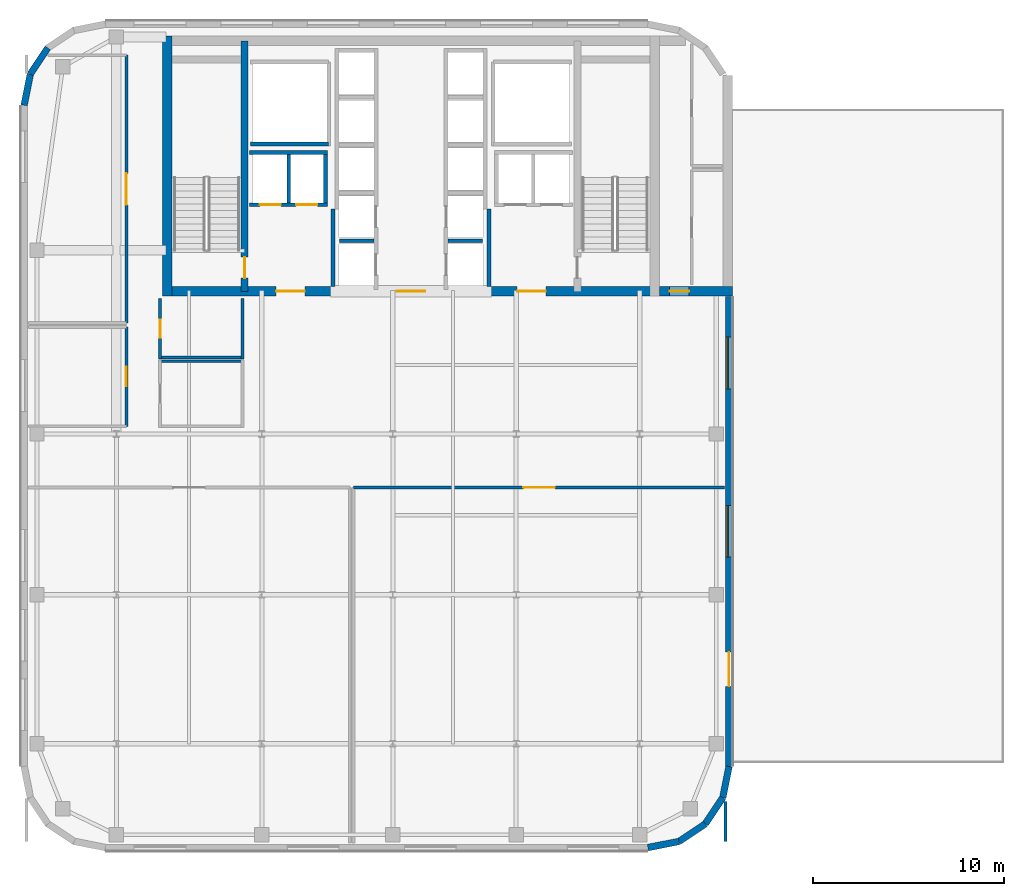
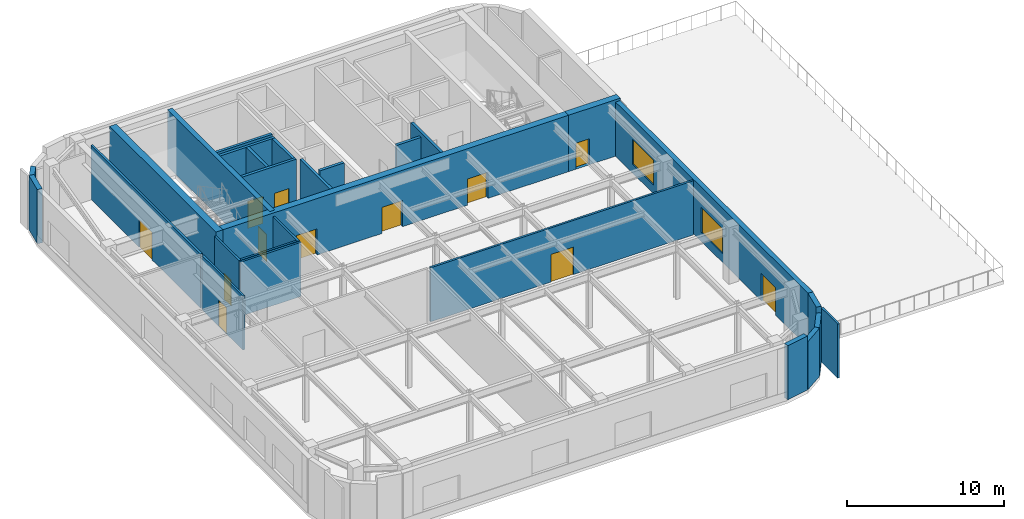
# One storey, part 4 of 10: 28 walls, 12 doors, 2 windows, 14 openings.
"""IFC4 building model written with IfcOpenShell, lengths in metres."""

from ifc_helpers import new_model, si_unit, direction, frame, frame_2d, origin, place, context, subcontext, project, spatial, rectangle, extrude, source, transform, mapped, material, layer, layer_set, type_object, type_shapes, element, fill, save


model = new_model("IFC4")

# Units and contexts
model_context = context("Model", 3, precision=1e-05, world=origin(), true_north=direction((0.0, 1.0)))
body_context = subcontext(model_context, "Body", "Model", "MODEL_VIEW")
ifc_project = project(units=[si_unit("LENGTHUNIT", "METRE"), si_unit("AREAUNIT", "SQUARE_METRE"), si_unit("VOLUMEUNIT", "CUBIC_METRE"), si_unit("PLANEANGLEUNIT", "RADIAN"), si_unit("MASSUNIT", "GRAM", prefix="KILO")], contexts=[model_context])

# Site, building, storey
site_placement = place(None, origin())
site = spatial("IfcSite", under=ifc_project, at=site_placement, CompositionType="ELEMENT")
building_placement = place(site_placement, origin())
building = spatial("IfcBuilding", under=site, at=building_placement, Name="Tolvann Quenvar Hotel", CompositionType="ELEMENT")
storey_placement = place(building_placement, frame((0.0, 0.0, 205.300048828125)))
storey = spatial("IfcBuildingStorey", under=building, at=storey_placement, Name="L54", CompositionType="ELEMENT", Elevation=205.300048828125)

# Wall, openings, doors
ifc_material_1 = material(Name="Concrete N50 (50 MPa)", Category="concrete")
ifc_layer_1 = layer(ifc_material_1, 0.5)
ifc_layer_set_1 = layer_set([ifc_layer_1], Name="Concrete N50 (50 MPa)")
wall_type_1 = type_object("IfcWallType", Name="WALL_CORE_500", PredefinedType="SHEAR", material=ifc_layer_set_1)
wall_1_placement = place(storey_placement, frame((10.0, 31.85009765625, 0.0), z_axis=(0.0, 0.0, 1.0), x_axis=(1.0, 0.0, 0.0)))
wall_1 = element("IfcWall", 1, at=wall_1_placement, inside=storey, type_object=wall_type_1, Name="Rear Core S Shear Wall (L54)", PredefinedType="SHEAR", context=body_context, shape_type="SweptSolid", body=[
    extrude(rectangle(XDim=26.0, YDim=0.5, at=frame_2d((13.0, 0.0))), origin(), (0.0, 0.0, 1.0), 4.39990234375),
])
opening_1_placement = place(wall_1_placement, frame((7.449951171875, 0.0, 0.0), z_axis=(0.0, 0.0, 1.0), x_axis=(-1.0, 0.0, 0.0)))
opening_1 = element("IfcOpeningElement", 2, at=opening_1_placement, cuts=wall_1, Name="Opening FD-60D", PredefinedType="OPENING", context=body_context, shape_type="SweptSolid", body=[
    extrude(rectangle(XDim=1.5, YDim=2.0400390625, at=frame_2d((0.75, 1.02001953125))), frame((0.0, 0.260009765625, 0.0), z_axis=(0.0, -1.0, 0.0), x_axis=(1.0, 0.0, 0.0)), (0.0, 0.0, 1.0), 0.52001953125),
])
opening_2_placement = place(wall_1_placement, frame((13.75, 0.0, 0.0), z_axis=(0.0, 0.0, 1.0), x_axis=(-1.0, 0.0, 0.0)))
opening_2 = element("IfcOpeningElement", 3, at=opening_2_placement, cuts=wall_1, Name="Opening FD-60D", PredefinedType="OPENING", context=body_context, shape_type="SweptSolid", body=[
    extrude(rectangle(XDim=1.5, YDim=2.0400390625, at=frame_2d((0.75, 1.02001953125))), frame((0.0, 0.260009765625, 0.0), z_axis=(0.0, -1.0, 0.0), x_axis=(1.0, 0.0, 0.0)), (0.0, 0.0, 1.0), 0.52001953125),
])
opening_3_placement = place(wall_1_placement, frame((20.050048828125, 0.0, 0.0), z_axis=(0.0, 0.0, 1.0), x_axis=(-1.0, 0.0, 0.0)))
opening_3 = element("IfcOpeningElement", 4, at=opening_3_placement, cuts=wall_1, Name="Opening FD-60D", PredefinedType="OPENING", context=body_context, shape_type="SweptSolid", body=[
    extrude(rectangle(XDim=1.5, YDim=2.0400390625, at=frame_2d((0.75, 1.02001953125))), frame((0.0, 0.260009765625, 0.0), z_axis=(0.0, -1.0, 0.0), x_axis=(1.0, 0.0, 0.0)), (0.0, 0.0, 1.0), 0.52001953125),
])
ifc_material_2 = material(Name="Solid-core American oak acoustic fire door leaf in steel frame", Category="steel")
door_type_1 = type_object("IfcDoorType", Name="DOOR_FIRE_LOBBY_1500", OperationType="NOTDEFINED", PredefinedType="DOOR", material=ifc_material_2)
shared_shape_1 = source(origin(), body_context, "Body", "SweptSolid", [
    extrude(rectangle(XDim=1.5, YDim=2.0400390625, at=frame_2d((0.75, 1.02001953125))), frame((0.0, 0.02490234375, 0.0), z_axis=(0.0, -1.0, 0.0), x_axis=(1.0, 0.0, 0.0)), (0.0, 0.0, 1.0), 0.050048828125),
])
type_shapes(door_type_1, [shared_shape_1])
door_1_placement = place(opening_1_placement, origin())
door_1 = element("IfcDoor", 5, at=door_1_placement, inside=storey, type_object=door_type_1, Name="Core Lobby Fire Door FFW (L54)", OperationType="DOUBLE_DOOR_SINGLE_SWING", OverallHeight=2.0400390625, OverallWidth=1.5, PredefinedType="DOOR", context=body_context, shape_type="MappedRepresentation", body=[
    mapped(shared_shape_1, transform((0.0, 0.0, 0.0), x_axis=(1.0, 0.0, 0.0), y_axis=(0.0, 1.0, 0.0), z_axis=(0.0, 0.0, 1.0), scale=1.0)),
])
fill(opening_1, door_1)
door_2_placement = place(opening_2_placement, origin())
door_2 = element("IfcDoor", 6, at=door_2_placement, inside=storey, type_object=door_type_1, Name="Core Lobby Fire Door CLOB (L54)", OperationType="DOUBLE_DOOR_SINGLE_SWING", OverallHeight=2.0400390625, OverallWidth=1.5, PredefinedType="DOOR", context=body_context, shape_type="MappedRepresentation", body=[
    mapped(shared_shape_1, transform((0.0, 0.0, 0.0), x_axis=(1.0, 0.0, 0.0), y_axis=(0.0, 1.0, 0.0), z_axis=(0.0, 0.0, 1.0), scale=1.0)),
])
fill(opening_2, door_2)
door_3_placement = place(opening_3_placement, origin())
door_3 = element("IfcDoor", 7, at=door_3_placement, inside=storey, type_object=door_type_1, Name="Core Lobby Fire Door FFE (L54)", OperationType="DOUBLE_DOOR_SINGLE_SWING", OverallHeight=2.0400390625, OverallWidth=1.5, PredefinedType="DOOR", context=body_context, shape_type="MappedRepresentation", body=[
    mapped(shared_shape_1, transform((0.0, 0.0, 0.0), x_axis=(1.0, 0.0, 0.0), y_axis=(0.0, 1.0, 0.0), z_axis=(0.0, 0.0, 1.0), scale=1.0)),
])
fill(opening_3, door_3)

# Wall
wall_2_placement = place(storey_placement, frame((10.25, 31.60009765625, 0.0), z_axis=(0.0, 0.0, 1.0), x_axis=(0.0, 1.0, 0.0)))
element("IfcWall", 8, at=wall_2_placement, inside=storey, type_object=wall_type_1, Name="Rear Core W Shear Wall (L54)", PredefinedType="SHEAR", context=body_context, shape_type="SweptSolid", body=[
    extrude(rectangle(XDim=13.599853515625, YDim=0.5, at=frame_2d((6.7998046875, 0.0))), origin(), (0.0, 0.0, 1.0), 4.39990234375),
])

# Wall, opening, door
wall_3_placement = place(storey_placement, frame((36.0, 31.85009765625, 0.0), z_axis=(0.0, 0.0, 1.0), x_axis=(1.0, 0.0, 0.0)))
wall_3 = element("IfcWall", 9, at=wall_3_placement, inside=storey, type_object=wall_type_1, Name="Core East Annex Shear Wall ANN-S (L54)", PredefinedType="SHEAR", context=body_context, shape_type="SweptSolid", body=[
    extrude(rectangle(XDim=3.800048828125, YDim=0.5, at=frame_2d((1.89990234375, 0.0))), origin(), (0.0, 0.0, 1.0), 4.39990234375),
])
opening_4_placement = place(wall_3_placement, frame((1.5400390625, 0.0, 0.0), z_axis=(0.0, 0.0, 1.0), x_axis=(-1.0, 0.0, 0.0)))
opening_4 = element("IfcOpeningElement", 10, at=opening_4_placement, cuts=wall_3, Name="Opening HD-01", PredefinedType="OPENING", context=body_context, shape_type="SweptSolid", body=[
    extrude(rectangle(XDim=1.02001953125, YDim=2.030029296875, at=frame_2d((0.510009765625, 1.01513671875))), frame((0.0, 0.260009765625, 0.0), z_axis=(0.0, -1.0, 0.0), x_axis=(1.0, 0.0, 0.0)), (0.0, 0.0, 1.0), 0.52001953125),
])
ifc_material_3 = material(Name="Pressed galvanised steel fire-rated door set", Category="steel")
door_type_2 = type_object("IfcDoorType", Name="DOOR_BOH_1020", OperationType="NOTDEFINED", PredefinedType="DOOR", material=ifc_material_3)
shared_shape_2 = source(origin(), body_context, "Body", "SweptSolid", [
    extrude(rectangle(XDim=1.02001953125, YDim=2.030029296875, at=frame_2d((0.510009765625, 1.01513671875))), frame((0.0, 0.02490234375, 0.0), z_axis=(0.0, -1.0, 0.0), x_axis=(1.0, 0.0, 0.0)), (0.0, 0.0, 1.0), 0.050048828125),
])
type_shapes(door_type_2, [shared_shape_2])
door_4_placement = place(opening_4_placement, origin())
door_4 = element("IfcDoor", 11, at=door_4_placement, inside=storey, type_object=door_type_2, Name="Housekeeping Annex Fire Door (L54)", OperationType="SINGLE_SWING_LEFT", OverallHeight=2.030029296875, OverallWidth=1.02001953125, PredefinedType="DOOR", context=body_context, shape_type="MappedRepresentation", body=[
    mapped(shared_shape_2, transform((0.0, 0.0, 0.0), x_axis=(1.0, 0.0, 0.0), y_axis=(0.0, 1.0, 0.0), z_axis=(0.0, 0.0, 1.0), scale=1.0)),
])
fill(opening_4, door_4)

ifc_material_4 = material(Name="Concrete S65 (65 MPa)", Category="concrete")
ifc_layer_2 = layer(ifc_material_4, 0.35009765625)
ifc_layer_set_2 = layer_set([ifc_layer_2], Name="Concrete S65 (65 MPa)")
wall_type_2 = type_object("IfcWallType", Name="WALL_CORE_INT_350", PredefinedType="SHEAR", material=ifc_layer_set_2)
wall_4_placement = place(storey_placement, frame((14.300048828125, 31.85009765625, 0.0), z_axis=(0.0, 0.0, 1.0), x_axis=(0.0, 1.0, 0.0)))
wall_4 = element("IfcWall", 12, at=wall_4_placement, inside=storey, type_object=wall_type_2, Name="Core Internal Web Shear Wall WEB-W (L54)", PredefinedType="SHEAR", context=body_context, shape_type="SweptSolid", body=[
    extrude(rectangle(XDim=13.099853515625, YDim=0.35009765625, at=frame_2d((6.5498046875, 0.0))), origin(), (0.0, 0.0, 1.0), 4.39990234375),
])
opening_5_placement = place(wall_4_placement, frame((0.699951171875, 0.0, 0.0)))
opening_5 = element("IfcOpeningElement", 13, at=opening_5_placement, cuts=wall_4, Name="Opening FD-120", PredefinedType="OPENING", context=body_context, shape_type="SweptSolid", body=[
    extrude(rectangle(XDim=1.10009765625, YDim=2.1201171875, at=frame_2d((0.550048828125, 1.06005859375))), frame((0.0, 0.18505859375, 0.0), z_axis=(0.0, -1.0, 0.0), x_axis=(1.0, 0.0, 0.0)), (0.0, 0.0, 1.0), 0.3701171875),
])
door_type_3 = type_object("IfcDoorType", Name="DOOR_FIRE_STAIR_1100", OperationType="NOTDEFINED", PredefinedType="DOOR", material=ifc_material_3)
shared_shape_3 = source(origin(), body_context, "Body", "SweptSolid", [
    extrude(rectangle(XDim=1.10009765625, YDim=2.1201171875, at=frame_2d((0.550048828125, 1.06005859375))), frame((0.0, 0.02490234375, 0.0), z_axis=(0.0, -1.0, 0.0), x_axis=(1.0, 0.0, 0.0)), (0.0, 0.0, 1.0), 0.050048828125),
])
type_shapes(door_type_3, [shared_shape_3])
door_5_placement = place(opening_5_placement, origin())
door_5 = element("IfcDoor", 14, at=door_5_placement, inside=storey, type_object=door_type_3, Name="Exit Stair ST-C1 Fire Door (L54)", OperationType="SINGLE_SWING_LEFT", OverallHeight=2.1201171875, OverallWidth=1.10009765625, PredefinedType="DOOR", context=body_context, shape_type="MappedRepresentation", body=[
    mapped(shared_shape_3, transform((0.0, 0.0, 0.0), x_axis=(1.0, 0.0, 0.0), y_axis=(0.0, 1.0, 0.0), z_axis=(0.0, 0.0, 1.0), scale=1.0)),
])
fill(opening_5, door_5)

# Walls
ifc_material_5 = material(Name="Kiln-fired red and buff architectural clay brickwork and terracotta masonry", Category="masonry")
ifc_layer_3 = layer(ifc_material_5, 0.35009765625)
ifc_layer_set_3 = layer_set([ifc_layer_3], Name="Kiln-fired red and buff architectural clay brickwork and terracotta masonry")
wall_type_3 = type_object("IfcWallType", Name="WALL_EXT_BRICK_350", PredefinedType="SOLIDWALL", material=ifc_layer_set_3)
wall_5_placement = place(storey_placement, frame((35.3828125, 2.77490234375, 0.0), z_axis=(0.0, 0.0, 1.0), x_axis=(0.980788844421, 0.195072403631, 0.0)))
element("IfcWall", 15, at=wall_5_placement, inside=storey, type_object=wall_type_3, Name="Exterior Chicago Brick Wall L54-E05", PredefinedType="SOLIDWALL", context=body_context, shape_type="SweptSolid", body=[
    extrude(rectangle(XDim=1.66455078125, YDim=0.35009765625, at=frame_2d((0.832275390625, 0.0))), origin(), (0.0, 0.0, 1.0), 4.219970703125),
])
for number, where, z_axis, x_axis, name in (
    (16, (37.015380859375, 3.099609375, 0.0), (0.0, 0.0, 1.0), (0.831434158098, 0.555623290322, 0.0), "Exterior Chicago Brick Wall L54-E06"),
    (17, (38.385009765625, 4.014892578125, 0.0), (0.0, 0.0, 1.0), (0.555623290322, 0.831434158098, 0.0), "Exterior Chicago Brick Wall L54-E07"),
):
    element("IfcWall", number, at=place(storey_placement, frame(where, z_axis=z_axis, x_axis=x_axis)), inside=storey, type_object=wall_type_3, Name=name, PredefinedType="SOLIDWALL", context=body_context, shape_type="SweptSolid", body=[
        extrude(rectangle(XDim=1.647216796875, YDim=0.35009765625, at=frame_2d((0.82373046875, 0.0))), origin(), (0.0, 0.0, 1.0), 3.75),
    ])
wall_6_placement = place(storey_placement, frame((39.30029296875, 5.384521484375, 0.0), z_axis=(0.0, 0.0, 1.0), x_axis=(0.195072403631, 0.980788844421, 0.0)))
element("IfcWall", 18, at=wall_6_placement, inside=storey, type_object=wall_type_3, Name="Exterior Chicago Brick Wall L54-E08", PredefinedType="SOLIDWALL", context=body_context, shape_type="SweptSolid", body=[
    extrude(rectangle(XDim=1.66455078125, YDim=0.35009765625, at=frame_2d((0.832275390625, 0.0))), origin(), (0.0, 0.0, 1.0), 4.219970703125),
])

# Wall, openings, door, windows
wall_7_placement = place(storey_placement, frame((39.625, 7.01708984375, 0.0), z_axis=(0.0, 0.0, 1.0), x_axis=(0.0, 1.0, 0.0)))
wall_7 = element("IfcWall", 19, at=wall_7_placement, inside=storey, type_object=wall_type_3, Name="Exterior Chicago Brick Wall L54-E09", PredefinedType="SOLIDWALL", context=body_context, shape_type="SweptSolid", body=[
    extrude(rectangle(XDim=24.578857421875, YDim=0.35009765625, at=frame_2d((12.28955078125, 0.0))), origin(), (0.0, 0.0, 1.0), 4.219970703125),
])
opening_6_placement = place(wall_7_placement, frame((5.983154296875, 0.0, 0.0), z_axis=(0.0, 0.0, 1.0), x_axis=(-1.0, 0.0, 0.0)))
opening_6 = element("IfcOpeningElement", 20, at=opening_6_placement, cuts=wall_7, Name="Opening TD-01", PredefinedType="OPENING", context=body_context, shape_type="SweptSolid", body=[
    extrude(rectangle(XDim=1.800048828125, YDim=2.14990234375, at=frame_2d((0.89990234375, 1.074951171875))), frame((0.0, 0.18505859375, 0.0), z_axis=(0.0, -1.0, 0.0), x_axis=(1.0, 0.0, 0.0)), (0.0, 0.0, 1.0), 0.3701171875),
])
opening_7_placement = place(wall_7_placement, frame((10.93896484375, 0.0, 0.679931640625)))
opening_7 = element("IfcOpeningElement", 21, at=opening_7_placement, cuts=wall_7, Name="Opening W-04", PredefinedType="OPENING", context=body_context, shape_type="SweptSolid", body=[
    extrude(rectangle(XDim=2.699951171875, YDim=1.949951171875, at=frame_2d((1.35009765625, 0.97509765625))), frame((0.0, 0.18505859375, 0.0), z_axis=(0.0, -1.0, 0.0), x_axis=(1.0, 0.0, 0.0)), (0.0, 0.0, 1.0), 0.3701171875),
])
opening_8_placement = place(wall_7_placement, frame((19.740966796875, 0.0, 0.679931640625)))
opening_8 = element("IfcOpeningElement", 22, at=opening_8_placement, cuts=wall_7, Name="Opening W-04", PredefinedType="OPENING", context=body_context, shape_type="SweptSolid", body=[
    extrude(rectangle(XDim=2.699951171875, YDim=1.949951171875, at=frame_2d((1.35009765625, 0.97509765625))), frame((0.0, 0.18505859375, 0.0), z_axis=(0.0, -1.0, 0.0), x_axis=(1.0, 0.0, 0.0)), (0.0, 0.0, 1.0), 0.3701171875),
])
ifc_material_6 = material(Name="Bronze-anodised thermally broken aluminium glazed entrance door", Category="aluminium")
door_type_4 = type_object("IfcDoorType", Name="DOOR_EXT_TER_1800", OperationType="NOTDEFINED", PredefinedType="DOOR", material=ifc_material_6)
shared_shape_4 = source(origin(), body_context, "Body", "SweptSolid", [
    extrude(rectangle(XDim=1.800048828125, YDim=2.14990234375, at=frame_2d((0.89990234375, 1.074951171875))), frame((0.0, 0.02490234375, 0.0), z_axis=(0.0, -1.0, 0.0), x_axis=(1.0, 0.0, 0.0)), (0.0, 0.0, 1.0), 0.050048828125),
])
type_shapes(door_type_4, [shared_shape_4])
door_6_placement = place(opening_6_placement, origin())
door_6 = element("IfcDoor", 23, at=door_6_placement, inside=storey, type_object=door_type_4, Name="East-Wing Sky Garden Terrace Access Door", OperationType="DOUBLE_DOOR_SINGLE_SWING", OverallHeight=2.14990234375, OverallWidth=1.800048828125, PredefinedType="DOOR", context=body_context, shape_type="MappedRepresentation", body=[
    mapped(shared_shape_4, transform((0.0, 0.0, 0.0), x_axis=(1.0, 0.0, 0.0), y_axis=(0.0, 1.0, 0.0), z_axis=(0.0, 0.0, 1.0), scale=1.0)),
])
fill(opening_6, door_6)
ifc_material_7 = material(Name="Thermally broken bronze-anodised aluminium frame with double low-E glazing", Category="aluminium")
window_type = type_object("IfcWindowType", Name="WIN_STE_2700x2150", PartitioningType="TRIPLE_PANEL_HORIZONTAL", PredefinedType="WINDOW", material=ifc_material_7)
shared_shape_5 = source(origin(), body_context, "Body", "SweptSolid", [
    extrude(rectangle(XDim=2.699951171875, YDim=1.949951171875, at=frame_2d((1.35009765625, 0.97509765625))), frame((0.0, 0.090087890625, 0.0), z_axis=(0.0, -1.0, 0.0), x_axis=(1.0, 0.0, 0.0)), (0.0, 0.0, 1.0), 0.06005859375),
])
type_shapes(window_type, [shared_shape_5])
window_1_placement = place(opening_7_placement, origin())
window_1 = element("IfcWindow", 24, at=window_1_placement, inside=storey, type_object=window_type, Name="Chicago Window W-04 (EW-L54-E09-W01)", OverallHeight=1.949951171875, OverallWidth=2.699951171875, PartitioningType="TRIPLE_PANEL_HORIZONTAL", PredefinedType="WINDOW", context=body_context, shape_type="MappedRepresentation", body=[
    mapped(shared_shape_5, transform((0.0, 0.0, 0.0), x_axis=(1.0, 0.0, 0.0), y_axis=(0.0, 1.0, 0.0), z_axis=(0.0, 0.0, 1.0), scale=1.0)),
])
fill(opening_7, window_1)
window_2_placement = place(opening_8_placement, origin())
window_2 = element("IfcWindow", 25, at=window_2_placement, inside=storey, type_object=window_type, Name="Chicago Window W-04 (EW-L54-E09-W02)", OverallHeight=1.949951171875, OverallWidth=2.699951171875, PartitioningType="TRIPLE_PANEL_HORIZONTAL", PredefinedType="WINDOW", context=body_context, shape_type="MappedRepresentation", body=[
    mapped(shared_shape_5, transform((0.0, 0.0, 0.0), x_axis=(1.0, 0.0, 0.0), y_axis=(0.0, 1.0, 0.0), z_axis=(0.0, 0.0, 1.0), scale=1.0)),
])
fill(opening_8, window_2)

# Walls
wall_8_placement = place(storey_placement, frame((4.014892578125, 44.585205078125, 0.0), z_axis=(0.0, 0.0, 1.0), x_axis=(-0.555623290322, -0.831434158098, 0.0)))
element("IfcWall", 26, at=wall_8_placement, inside=storey, type_object=wall_type_3, Name="Exterior Chicago Brick Wall L54-E17", PredefinedType="SOLIDWALL", context=body_context, shape_type="SweptSolid", body=[
    extrude(rectangle(XDim=1.647216796875, YDim=0.35009765625, at=frame_2d((0.82373046875, 0.0))), origin(), (0.0, 0.0, 1.0), 3.75),
])
wall_9_placement = place(storey_placement, frame((3.099609375, 43.215576171875, 0.0), z_axis=(0.0, 0.0, 1.0), x_axis=(-0.195044345786, -0.980794424524, 0.0)))
element("IfcWall", 27, at=wall_9_placement, inside=storey, type_object=wall_type_3, Name="Exterior Chicago Brick Wall L54-E18", PredefinedType="SOLIDWALL", context=body_context, shape_type="SweptSolid", body=[
    extrude(rectangle(XDim=1.664794921875, YDim=0.35009765625, at=frame_2d((0.83251953125, 0.0))), origin(), (0.0, 0.0, 1.0), 4.219970703125),
])

# Wall, opening, door
ifc_material_8 = material(Name="Acoustic twin-stud fire-rated gypsum plasterboard partition")
ifc_layer_4 = layer(ifc_material_8, 0.14990234375)
ifc_layer_set_4 = layer_set([ifc_layer_4], Name="Acoustic twin-stud fire-rated gypsum plasterboard partition")
wall_type_4 = type_object("IfcWallType", Name="WALL_PART_SUITE_150", PredefinedType="PARTITIONING", material=ifc_layer_set_4)
wall_10_placement = place(storey_placement, frame((20.0, 21.60009765625, 0.0), z_axis=(0.0, 0.0, 1.0), x_axis=(1.0, 0.0, 0.0)))
wall_10 = element("IfcWall", 28, at=wall_10_placement, inside=storey, type_object=wall_type_4, Name="Interior Partition PT-SPC-L54-BAR-N", PredefinedType="PARTITIONING", context=body_context, shape_type="SweptSolid", body=[
    extrude(rectangle(XDim=19.39501953125, YDim=0.14990234375, at=frame_2d((9.697509765625, 0.0))), origin(), (0.0, 0.0, 1.0), 4.219970703125),
])
opening_9_placement = place(wall_10_placement, frame((8.87255859375, 0.0, 0.0)))
opening_9 = element("IfcOpeningElement", 29, at=opening_9_placement, cuts=wall_10, Name="Opening AD-01", PredefinedType="OPENING", context=body_context, shape_type="SweptSolid", body=[
    extrude(rectangle(XDim=1.64990234375, YDim=2.14990234375, at=frame_2d((0.824951171875, 1.074951171875))), frame((0.0, 0.0849609375, 0.0), z_axis=(0.0, -1.0, 0.0), x_axis=(1.0, 0.0, 0.0)), (0.0, 0.0, 1.0), 0.169921875),
])
door_type_5 = type_object("IfcDoorType", Name="DOOR_SALON_1650", OperationType="NOTDEFINED", PredefinedType="DOOR", material=ifc_material_2)
shared_shape_6 = source(origin(), body_context, "Body", "SweptSolid", [
    extrude(rectangle(XDim=1.64990234375, YDim=2.14990234375, at=frame_2d((0.824951171875, 1.074951171875))), frame((0.0, 0.02490234375, 0.0), z_axis=(0.0, -1.0, 0.0), x_axis=(1.0, 0.0, 0.0)), (0.0, 0.0, 1.0), 0.050048828125),
])
type_shapes(door_type_5, [shared_shape_6])
door_7_placement = place(opening_9_placement, origin())
door_7 = element("IfcDoor", 30, at=door_7_placement, inside=storey, type_object=door_type_5, Name="Interior Door DOOR-SPC-L54-BAR", OperationType="DOUBLE_DOOR_SINGLE_SWING", OverallHeight=2.14990234375, OverallWidth=1.64990234375, PredefinedType="DOOR", context=body_context, shape_type="MappedRepresentation", body=[
    mapped(shared_shape_6, transform((0.0, 0.0, 0.0), x_axis=(1.0, 0.0, 0.0), y_axis=(0.0, 1.0, 0.0), z_axis=(0.0, 0.0, 1.0), scale=1.0)),
])
fill(opening_9, door_7)

# Wall
wall_11_placement = place(storey_placement, frame((39.449951171875, 3.10009765625, 0.0), z_axis=(0.0, 0.0, 1.0), x_axis=(0.0, 1.0, 0.0)))
element("IfcWall", 31, at=wall_11_placement, inside=storey, type_object=wall_type_4, Name="Interior Partition PT-SPC-L54-BAR-E", PredefinedType="PARTITIONING", context=body_context, shape_type="SweptSolid", body=[
    extrude(rectangle(XDim=2.094970703125, YDim=0.14990234375, at=frame_2d((1.04736328125, 0.0))), origin(), (0.0, 0.0, 1.0), 4.219970703125),
])

# Wall, opening, door
wall_12_placement = place(storey_placement, frame((8.1201171875, 30.199951171875, 0.0), z_axis=(0.0, 0.0, 1.0), x_axis=(0.0, 1.0, 0.0)))
wall_12 = element("IfcWall", 32, at=wall_12_placement, inside=storey, type_object=wall_type_4, Name="Interior Partition PT-SPC-L54-VIP-E", PredefinedType="PARTITIONING", context=body_context, shape_type="SweptSolid", body=[
    extrude(rectangle(XDim=14.0, YDim=0.14990234375, at=frame_2d((7.0, 0.0))), origin(), (0.0, 0.0, 1.0), 4.219970703125),
])
opening_10_placement = place(wall_12_placement, frame((6.175048828125, 0.0, 0.0)))
opening_10 = element("IfcOpeningElement", 33, at=opening_10_placement, cuts=wall_12, Name="Opening AD-01", PredefinedType="OPENING", context=body_context, shape_type="SweptSolid", body=[
    extrude(rectangle(XDim=1.64990234375, YDim=2.14990234375, at=frame_2d((0.824951171875, 1.074951171875))), frame((0.0, 0.0849609375, 0.0), z_axis=(0.0, -1.0, 0.0), x_axis=(1.0, 0.0, 0.0)), (0.0, 0.0, 1.0), 0.169921875),
])
door_8_placement = place(opening_10_placement, origin())
door_8 = element("IfcDoor", 34, at=door_8_placement, inside=storey, type_object=door_type_5, Name="Interior Door DOOR-SPC-L54-VIP", OperationType="DOUBLE_DOOR_SINGLE_SWING", OverallHeight=2.14990234375, OverallWidth=1.64990234375, PredefinedType="DOOR", context=body_context, shape_type="MappedRepresentation", body=[
    mapped(shared_shape_6, transform((0.0, 0.0, 0.0), x_axis=(1.0, 0.0, 0.0), y_axis=(0.0, 1.0, 0.0), z_axis=(0.0, 0.0, 1.0), scale=1.0)),
])
fill(opening_10, door_8)

# Walls
for number, where, z_axis, x_axis, name in (
    (35, (9.81005859375, 28.199951171875, 0.0), (0.0, 0.0, 1.0), (1.0, 0.0, 0.0), "Interior Partition PT-SPC-L54-WC1-N"),
    (36, (9.81005859375, 28.39990234375, 0.0), (0.0, 0.0, 1.0), (1.0, 0.0, 0.0), "Interior Partition PT-SPC-L54-WCA-S"),
):
    element("IfcWall", number, at=place(storey_placement, frame(where, z_axis=z_axis, x_axis=x_axis)), inside=storey, type_object=wall_type_4, Name=name, PredefinedType="PARTITIONING", context=body_context, shape_type="SweptSolid", body=[
        extrude(rectangle(XDim=4.4599609375, YDim=0.14990234375, at=frame_2d((2.22998046875, 0.0))), origin(), (0.0, 0.0, 1.0), 4.219970703125),
    ])

# Wall, opening, door
wall_13_placement = place(storey_placement, frame((9.8798828125, 28.330078125, 0.0), z_axis=(0.0, 0.0, 1.0), x_axis=(0.0, 1.0, 0.0)))
wall_13 = element("IfcWall", 37, at=wall_13_placement, inside=storey, type_object=wall_type_4, Name="Interior Partition PT-SPC-L54-WCA-W", PredefinedType="PARTITIONING", context=body_context, shape_type="SweptSolid", body=[
    extrude(rectangle(XDim=3.139892578125, YDim=0.14990234375, at=frame_2d((1.56982421875, 0.0))), origin(), (0.0, 0.0, 1.0), 4.219970703125),
])
opening_11_placement = place(wall_13_placement, frame((1.110107421875, 0.0, 0.0)))
opening_11 = element("IfcOpeningElement", 38, at=opening_11_placement, cuts=wall_13, Name="Opening WD-01", PredefinedType="OPENING", context=body_context, shape_type="SweptSolid", body=[
    extrude(rectangle(XDim=0.919921875, YDim=2.010009765625, at=frame_2d((0.4599609375, 1.0048828125))), frame((0.0, 0.0849609375, 0.0), z_axis=(0.0, -1.0, 0.0), x_axis=(1.0, 0.0, 0.0)), (0.0, 0.0, 1.0), 0.169921875),
])
door_type_6 = type_object("IfcDoorType", Name="DOOR_WC_920", OperationType="NOTDEFINED", PredefinedType="DOOR", material=ifc_material_2)
shared_shape_7 = source(origin(), body_context, "Body", "SweptSolid", [
    extrude(rectangle(XDim=0.919921875, YDim=2.010009765625, at=frame_2d((0.4599609375, 1.0048828125))), frame((0.0, 0.02490234375, 0.0), z_axis=(0.0, -1.0, 0.0), x_axis=(1.0, 0.0, 0.0)), (0.0, 0.0, 1.0), 0.050048828125),
])
type_shapes(door_type_6, [shared_shape_7])
door_9_placement = place(opening_11_placement, origin())
door_9 = element("IfcDoor", 39, at=door_9_placement, inside=storey, type_object=door_type_6, Name="Interior Door DOOR-SPC-L54-WCA", OperationType="SINGLE_SWING_LEFT", OverallHeight=2.010009765625, OverallWidth=0.919921875, PredefinedType="DOOR", context=body_context, shape_type="MappedRepresentation", body=[
    mapped(shared_shape_7, transform((0.0, 0.0, 0.0), x_axis=(1.0, 0.0, 0.0), y_axis=(0.0, 1.0, 0.0), z_axis=(0.0, 0.0, 1.0), scale=1.0)),
])
fill(opening_11, door_9)

# Wall
wall_14_placement = place(storey_placement, frame((14.199951171875, 28.330078125, 0.0), z_axis=(0.0, 0.0, 1.0), x_axis=(0.0, 1.0, 0.0)))
element("IfcWall", 40, at=wall_14_placement, inside=storey, type_object=wall_type_4, Name="Interior Partition PT-SPC-L54-WCA-E", PredefinedType="PARTITIONING", context=body_context, shape_type="SweptSolid", body=[
    extrude(rectangle(XDim=3.139892578125, YDim=0.14990234375, at=frame_2d((1.56982421875, 0.0))), origin(), (0.0, 0.0, 1.0), 4.219970703125),
])

# Wall, opening, door
wall_15_placement = place(storey_placement, frame((8.1201171875, 24.800048828125, 0.0), z_axis=(0.0, 0.0, 1.0), x_axis=(0.0, 1.0, 0.0)))
wall_15 = element("IfcWall", 41, at=wall_15_placement, inside=storey, type_object=wall_type_4, Name="Interior Partition PT-SPC-L54-HSK-E", PredefinedType="PARTITIONING", context=body_context, shape_type="SweptSolid", body=[
    extrude(rectangle(XDim=5.199951171875, YDim=0.14990234375, at=frame_2d((2.60009765625, 0.0))), origin(), (0.0, 0.0, 1.0), 4.219970703125),
])
opening_12_placement = place(wall_15_placement, frame((2.090087890625, 0.0, 0.0)))
opening_12 = element("IfcOpeningElement", 42, at=opening_12_placement, cuts=wall_15, Name="Opening HD-01", PredefinedType="OPENING", context=body_context, shape_type="SweptSolid", body=[
    extrude(rectangle(XDim=1.02001953125, YDim=2.030029296875, at=frame_2d((0.510009765625, 1.01513671875))), frame((0.0, 0.0849609375, 0.0), z_axis=(0.0, -1.0, 0.0), x_axis=(1.0, 0.0, 0.0)), (0.0, 0.0, 1.0), 0.169921875),
])
door_10_placement = place(opening_12_placement, origin())
door_10 = element("IfcDoor", 43, at=door_10_placement, inside=storey, type_object=door_type_2, Name="Interior Door DOOR-SPC-L54-HSK", OperationType="SINGLE_SWING_RIGHT", OverallHeight=2.030029296875, OverallWidth=1.02001953125, PredefinedType="DOOR", context=body_context, shape_type="MappedRepresentation", body=[
    mapped(shared_shape_2, transform((0.0, 0.0, 0.0), x_axis=(1.0, 0.0, 0.0), y_axis=(0.0, 1.0, 0.0), z_axis=(0.0, 0.0, 1.0), scale=1.0)),
])
fill(opening_12, door_10)

# Walls
ifc_material_9 = material(Name="Concrete N40 (40 MPa)", Category="concrete")
ifc_layer_5 = layer(ifc_material_9, 0.199951171875)
ifc_layer_set_5 = layer_set([ifc_layer_5], Name="Concrete N40 (40 MPa)")
wall_type_5 = type_object("IfcWallType", Name="WALL_SHAFT_200", PredefinedType="SOLIDWALL", material=ifc_layer_set_5)
wall_16_placement = place(storey_placement, frame((14.60009765625, 39.550048828125, 0.0), z_axis=(0.0, 0.0, 1.0), x_axis=(1.0, 0.0, 0.0)))
element("IfcWall", 44, at=wall_16_placement, inside=storey, type_object=wall_type_5, Name="Service Riser W Shaft Wall S (L54)", PredefinedType="SOLIDWALL", context=body_context, shape_type="SweptSolid", body=[
    extrude(rectangle(XDim=4.099853515625, YDim=0.199951171875, at=frame_2d((2.0498046875, 0.0))), origin(), (0.0, 0.0, 1.0), 4.219970703125),
])
for number, where, z_axis, x_axis, name in (
    (45, (18.919921875, 32.10400390625, 0.0), (0.0, 0.0, 1.0), (0.0, 1.0, 0.0), "Firefighting Lobby W Inner Fire Wall (L54)"),
    (46, (27.080078125, 32.10400390625, 0.0), (0.0, 0.0, 1.0), (0.0, 1.0, 0.0), "Firefighting Lobby E Inner Fire Wall (L54)"),
):
    element("IfcWall", number, at=place(storey_placement, frame(where, z_axis=z_axis, x_axis=x_axis)), inside=storey, type_object=wall_type_5, Name=name, PredefinedType="SOLIDWALL", context=body_context, shape_type="SweptSolid", body=[
        extrude(rectangle(XDim=4.0458984375, YDim=0.199951171875, at=frame_2d((2.02294921875, 0.0))), origin(), (0.0, 0.0, 1.0), 4.219970703125),
    ])
wall_17_placement = place(storey_placement, frame((19.27001953125, 34.5, 0.0), z_axis=(0.0, 0.0, 1.0), x_axis=(1.0, 0.0, 0.0)))
element("IfcWall", 47, at=wall_17_placement, inside=storey, type_object=wall_type_5, Name="Lift Bank E21.1C1 Divider Wall 1 (L54)", PredefinedType="SOLIDWALL", context=body_context, shape_type="SweptSolid", body=[
    extrude(rectangle(XDim=1.800048828125, YDim=0.199951171875, at=frame_2d((0.89990234375, 0.0))), origin(), (0.0, 0.0, 1.0), 4.219970703125),
])

# Wall, openings, doors
wall_18_placement = place(storey_placement, frame((14.550048828125, 36.3798828125, 0.0), z_axis=(0.0, 0.0, 1.0), x_axis=(1.0, 0.0, 0.0)))
wall_18 = element("IfcWall", 48, at=wall_18_placement, inside=storey, type_object=wall_type_5, Name="Lift Bank SWC1 Hoistway Front Wall (L54)", PredefinedType="SOLIDWALL", context=body_context, shape_type="SweptSolid", body=[
    extrude(rectangle(XDim=4.074951171875, YDim=0.199951171875, at=frame_2d((2.03759765625, 0.0))), origin(), (0.0, 0.0, 1.0), 4.219970703125),
])
opening_13_placement = place(wall_18_placement, frame((0.550048828125, 0.0, 0.0)))
opening_13 = element("IfcOpeningElement", 49, at=opening_13_placement, cuts=wall_18, Name="Opening LD-01", PredefinedType="OPENING", context=body_context, shape_type="SweptSolid", body=[
    extrude(rectangle(XDim=1.10009765625, YDim=2.1201171875, at=frame_2d((0.550048828125, 1.06005859375))), frame((0.0, 0.10986328125, 0.0), z_axis=(0.0, -1.0, 0.0), x_axis=(1.0, 0.0, 0.0)), (0.0, 0.0, 1.0), 0.219970703125),
])
opening_14_placement = place(wall_18_placement, frame((2.449951171875, 0.0, 0.0)))
opening_14 = element("IfcOpeningElement", 50, at=opening_14_placement, cuts=wall_18, Name="Opening LD-01", PredefinedType="OPENING", context=body_context, shape_type="SweptSolid", body=[
    extrude(rectangle(XDim=1.10009765625, YDim=2.1201171875, at=frame_2d((0.550048828125, 1.06005859375))), frame((0.0, 0.10986328125, 0.0), z_axis=(0.0, -1.0, 0.0), x_axis=(1.0, 0.0, 0.0)), (0.0, 0.0, 1.0), 0.219970703125),
])
ifc_material_10 = material(Name="Brushed 316 stainless steel automatic sliding lift landing door", Category="steel")
door_type_7 = type_object("IfcDoorType", Name="DOOR_LIFT_SLIDE_1100", OperationType="NOTDEFINED", PredefinedType="DOOR", material=ifc_material_10)
shared_shape_8 = source(origin(), body_context, "Body", "SweptSolid", [
    extrude(rectangle(XDim=1.10009765625, YDim=2.1201171875, at=frame_2d((0.550048828125, 1.06005859375))), frame((0.0, 0.02490234375, 0.0), z_axis=(0.0, -1.0, 0.0), x_axis=(1.0, 0.0, 0.0)), (0.0, 0.0, 1.0), 0.050048828125),
])
type_shapes(door_type_7, [shared_shape_8])
door_11_placement = place(opening_13_placement, origin())
door_11 = element("IfcDoor", 51, at=door_11_placement, inside=storey, type_object=door_type_7, Name="Lift FF-1 Sliding Landing Door (L54)", OperationType="SLIDING_TO_LEFT", OverallHeight=2.1201171875, OverallWidth=1.10009765625, PredefinedType="DOOR", context=body_context, shape_type="MappedRepresentation", body=[
    mapped(shared_shape_8, transform((0.0, 0.0, 0.0), x_axis=(1.0, 0.0, 0.0), y_axis=(0.0, 1.0, 0.0), z_axis=(0.0, 0.0, 1.0), scale=1.0)),
])
fill(opening_13, door_11)
door_12_placement = place(opening_14_placement, origin())
door_12 = element("IfcDoor", 52, at=door_12_placement, inside=storey, type_object=door_type_7, Name="Lift SV-1 Sliding Landing Door (L54)", OperationType="SLIDING_TO_RIGHT", OverallHeight=2.1201171875, OverallWidth=1.10009765625, PredefinedType="DOOR", context=body_context, shape_type="MappedRepresentation", body=[
    mapped(shared_shape_8, transform((0.0, 0.0, 0.0), x_axis=(1.0, 0.0, 0.0), y_axis=(0.0, 1.0, 0.0), z_axis=(0.0, 0.0, 1.0), scale=1.0)),
])
fill(opening_14, door_12)

# Walls
wall_19_placement = place(storey_placement, frame((14.550048828125, 39.1201171875, 0.0), z_axis=(0.0, 0.0, 1.0), x_axis=(1.0, 0.0, 0.0)))
element("IfcWall", 53, at=wall_19_placement, inside=storey, type_object=wall_type_5, Name="Lift Bank SWC1 Hoistway Rear Wall (L54)", PredefinedType="SOLIDWALL", context=body_context, shape_type="SweptSolid", body=[
    extrude(rectangle(XDim=4.074951171875, YDim=0.199951171875, at=frame_2d((2.03759765625, 0.0))), origin(), (0.0, 0.0, 1.0), 4.219970703125),
])
for number, where, z_axis, x_axis, name in (
    (54, (18.52490234375, 36.47998046875, 0.0), (0.0, 0.0, 1.0), (0.0, 1.0, 0.0), "Lift Bank SWC1 Hoistway Cheek Wall 2 (L54)"),
    (55, (16.612548828125, 36.47998046875, 0.0), (0.0, 0.0, 1.0), (0.0, 1.0, 0.0), "Lift Bank SWC1 Divider Wall 1 (L54)"),
):
    element("IfcWall", number, at=place(storey_placement, frame(where, z_axis=z_axis, x_axis=x_axis)), inside=storey, type_object=wall_type_5, Name=name, PredefinedType="SOLIDWALL", context=body_context, shape_type="SweptSolid", body=[
        extrude(rectangle(XDim=2.5400390625, YDim=0.199951171875, at=frame_2d((1.27001953125, 0.0))), origin(), (0.0, 0.0, 1.0), 4.219970703125),
    ])
wall_20_placement = place(storey_placement, frame((24.929931640625, 34.5, 0.0), z_axis=(0.0, 0.0, 1.0), x_axis=(1.0, 0.0, 0.0)))
element("IfcWall", 56, at=wall_20_placement, inside=storey, type_object=wall_type_5, Name="Lift Bank W24.9C1 Divider Wall 1 (L54)", PredefinedType="SOLIDWALL", context=body_context, shape_type="SweptSolid", body=[
    extrude(rectangle(XDim=1.800048828125, YDim=0.199951171875, at=frame_2d((0.89990234375, 0.0))), origin(), (0.0, 0.0, 1.0), 4.219970703125),
])

save(model, "model.ifc")
